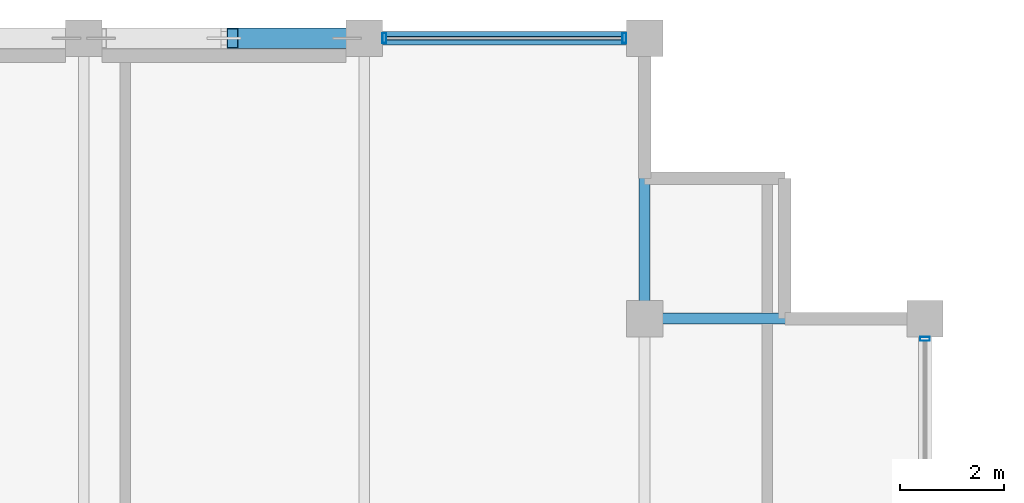
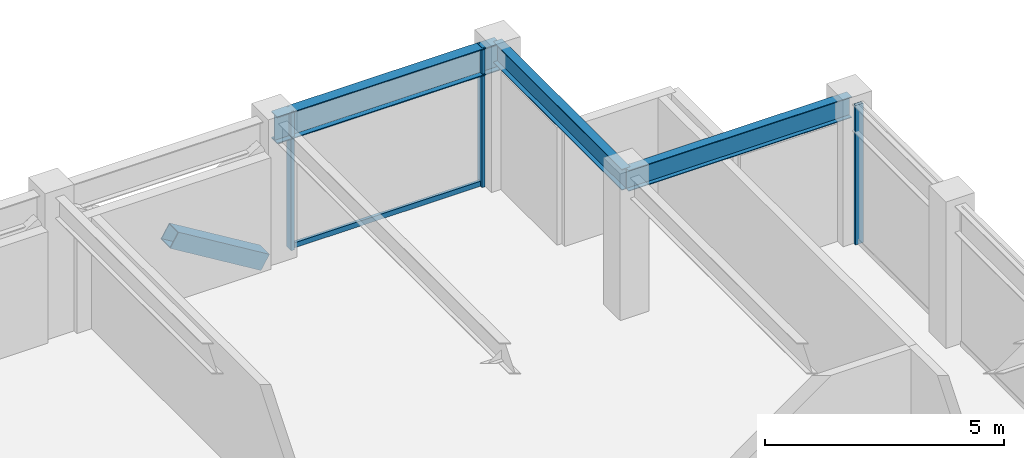
# One storey, part 19 of 29: 5 members, 3 beams, 2 elements without a shape of their own.
"""IFC4 building model written with IfcOpenShell, lengths in metres."""

from ifc_helpers import new_model, si_unit, direction, frame, origin, origin_2d, place, context, subcontext, project, spatial, hollow_rectangle, i_section, extrude, material, layer, layer_set, material_profile, profile_set, type_object, element, aggregate, save


model = new_model("IFC4")

# Units and contexts
model_context = context("Model", 3, precision=1e-05, world=origin(), true_north=direction((0.0, 1.0)))
body_context = subcontext(model_context, "Body", "Model", "MODEL_VIEW")
ifc_project = project(units=[si_unit("LENGTHUNIT", "METRE"), si_unit("AREAUNIT", "SQUARE_METRE"), si_unit("VOLUMEUNIT", "CUBIC_METRE"), si_unit("PLANEANGLEUNIT", "RADIAN"), si_unit("MASSUNIT", "GRAM", prefix="KILO")], contexts=[model_context])

# Site, building, storey
site_placement = place(None, origin())
site = spatial("IfcSite", under=ifc_project, at=site_placement, CompositionType="ELEMENT")
building_placement = place(site_placement, origin())
building = spatial("IfcBuilding", under=site, at=building_placement, Name="Surkhivell Harbour Commons", CompositionType="ELEMENT")
storey_placement = place(building_placement, frame((0.0, 0.0, 273.75)))
storey = spatial("IfcBuildingStorey", under=building, at=storey_placement, Name="L71", CompositionType="ELEMENT", Elevation=273.75)

# Beams
ifc_material_1 = material(Name="Steel S355", Category="steel")
ifc_material_profile_1 = material_profile(ifc_material_1, i_section(OverallWidth=0.2099609375, OverallDepth=0.537109375, WebThickness=0.0107421875, FlangeThickness=0.017333984375, at=origin_2d()), Name="UB533x210x101")
ifc_profile_set_1 = profile_set([ifc_material_profile_1], Name="Steel S355")
beam_type_1 = type_object("IfcBeamType", Name="BM-GRD-533B", PredefinedType="BEAM", material=ifc_profile_set_1)
for number, where, z_axis, x_axis, name in (
    (1, (10.800048828125, 20.5, 3.301513671875), (0.0, 1.0, 0.0), (-1.0, 0.0, 0.0), "L71 Floor Girder (10.8,20.5)"),
    (2, (10.800048828125, 20.5, 3.301513671875), (1.0, 0.0, 0.0), (0.0, 1.0, 0.0), "L71 Floor Girder (10.8,20.5)"),
):
    element("IfcBeam", number, at=place(storey_placement, frame(where, z_axis=z_axis, x_axis=x_axis)), inside=storey, type_object=beam_type_1, Name=name, PredefinedType="BEAM", context=body_context, shape_type="SweptSolid", body=[
        extrude(i_section(OverallWidth=0.2099609375, OverallDepth=0.537109375, WebThickness=0.0107421875, FlangeThickness=0.017333984375, at=origin_2d()), origin(), (0.0, 0.0, 1.0), 5.39990234375),
    ])
ifc_material_profile_2 = material_profile(ifc_material_1, i_section(OverallWidth=0.256103515625, OverallDepth=0.693115234375, WebThickness=0.014404296875, FlangeThickness=0.023681640625, at=origin_2d()), Name="UB686x254x170")
ifc_profile_set_2 = profile_set([ifc_material_profile_2], Name="Steel S355")
beam_type_2 = type_object("IfcBeamType", Name="BM-SPN-686", PredefinedType="SPANDREL", material=ifc_profile_set_2)
beam_placement = place(storey_placement, frame((5.39990234375, 25.89990234375, 3.223388671875), z_axis=(1.0, 0.0, 0.0), x_axis=(0.0, 1.0, 0.0)))
element("IfcBeam", 3, at=beam_placement, inside=storey, type_object=beam_type_2, Name="L71 Tube Spandrel (5.4,25.9)", PredefinedType="SPANDREL", context=body_context, shape_type="SweptSolid", body=[
    extrude(i_section(OverallWidth=0.256103515625, OverallDepth=0.693115234375, WebThickness=0.014404296875, FlangeThickness=0.023681640625, at=origin_2d()), origin(), (0.0, 0.0, 1.0), 5.400146484375),
])

# Curtain wall, member
ifc_material_2 = material(Name="Anodised pale-metal aluminium and insulated glazing", Category="aluminium")
ifc_layer = layer(ifc_material_2, 0.175048828125)
ifc_layer_set = layer_set([ifc_layer], Name="Anodised pale-metal aluminium and insulated glazing")
curtain_wall_type = type_object("IfcCurtainWallType", Name="CW-SYS-Z4", PredefinedType="NOTDEFINED", material=ifc_layer_set)
curtain_wall_1_placement = place(storey_placement, origin())
curtain_wall_1 = element("IfcCurtainWall", 4, at=curtain_wall_1_placement, inside=storey, type_object=curtain_wall_type, Name="L71 Curtain Wall CW-L71-E02R2", PredefinedType="NOTDEFINED")
ifc_material_3 = material(Name="Anodised pale-metal aluminium alloy 6063-T6", Category="aluminium")
ifc_material_profile_3 = material_profile(ifc_material_3, hollow_rectangle(XDim=0.074951171875, YDim=0.18994140625, WallThickness=0.00390625, at=origin_2d()), Name="ALU-MULL-75x190")
ifc_profile_set_3 = profile_set([ifc_material_profile_3], Name="Anodised pale-metal aluminium alloy 6063-T6")
member_type_1 = type_object("IfcMemberType", Name="CWM-190", PredefinedType="MULLION", material=ifc_profile_set_3)
member_1_placement = place(storey_placement, frame((16.199951171875, 20.110595703125, 0.0), z_axis=(0.0, 0.0, 1.0), x_axis=(0.0, 1.0, 0.0)))
member_1 = element("IfcMember", 5, at=member_1_placement, type_object=member_type_1, Name="CW-Z4 mullion 3", PredefinedType="MULLION", context=body_context, shape_type="SweptSolid", body=[
    extrude(hollow_rectangle(XDim=0.074951171875, YDim=0.18994140625, WallThickness=0.00390625, at=origin_2d()), origin(), (0.0, 0.0, 1.0), 3.570068359375),
])
aggregate(curtain_wall_1, [member_1])

# Curtain wall, members
curtain_wall_2_placement = place(storey_placement, origin())
curtain_wall_2 = element("IfcCurtainWall", 6, at=curtain_wall_2_placement, inside=storey, type_object=curtain_wall_type, Name="L71 Curtain Wall CW-L71-E07S1", PredefinedType="NOTDEFINED")
member_2_placement = place(storey_placement, frame((10.410400390625, 25.89990234375, 0.0), z_axis=(0.0, 0.0, 1.0), x_axis=(-1.0, 0.0, 0.0)))
member_2 = element("IfcMember", 7, at=member_2_placement, type_object=member_type_1, Name="CW-Z4 mullion 1", PredefinedType="MULLION", context=body_context, shape_type="SweptSolid", body=[
    extrude(hollow_rectangle(XDim=0.074951171875, YDim=0.18994140625, WallThickness=0.00390625, at=origin_2d()), origin(), (0.0, 0.0, 1.0), 3.570068359375),
])
member_3_placement = place(storey_placement, frame((5.78955078125, 25.89990234375, 0.0), z_axis=(0.0, 0.0, 1.0), x_axis=(-1.0, 0.0, 0.0)))
member_3 = element("IfcMember", 8, at=member_3_placement, type_object=member_type_1, Name="CW-Z4 mullion 2", PredefinedType="MULLION", context=body_context, shape_type="SweptSolid", body=[
    extrude(hollow_rectangle(XDim=0.074951171875, YDim=0.18994140625, WallThickness=0.00390625, at=origin_2d()), origin(), (0.0, 0.0, 1.0), 3.570068359375),
])
ifc_material_4 = material(Name="Champagne anodised aluminium alloy 6063-T6", Category="aluminium")
ifc_material_profile_4 = material_profile(ifc_material_4, hollow_rectangle(XDim=0.070068359375, YDim=0.1298828125, WallThickness=0.00341796875, at=origin_2d()), Name="ALU-TRAN-70x130")
ifc_profile_set_4 = profile_set([ifc_material_profile_4], Name="Champagne anodised aluminium alloy 6063-T6")
member_type_2 = type_object("IfcMemberType", Name="CWT-130", PredefinedType="USERDEFINED", material=ifc_profile_set_4)
member_4_placement = place(storey_placement, frame((10.373046875, 25.89990234375, 0.06494140625), z_axis=(-1.0, 0.0, 0.0), x_axis=(0.0, -1.0, 0.0)))
member_4 = element("IfcMember", 9, at=member_4_placement, type_object=member_type_2, Name="CW-Z4 transom 1.1", ObjectType="TRANSOM", PredefinedType="USERDEFINED", context=body_context, shape_type="SweptSolid", body=[
    extrude(hollow_rectangle(XDim=0.070068359375, YDim=0.1298828125, WallThickness=0.00341796875, at=origin_2d()), origin(), (0.0, 0.0, 1.0), 4.546142578125),
])
aggregate(curtain_wall_2, [member_2, member_3, member_4])

# Member
ifc_material_5 = material(Name="Steel S460", Category="steel")
ifc_material_profile_5 = material_profile(ifc_material_5, hollow_rectangle(XDim=0.39990234375, YDim=0.39990234375, WallThickness=0.02001953125, at=origin_2d()), Name="SHS400x400x20")
ifc_profile_set_5 = profile_set([ifc_material_profile_5], Name="Steel S460")
member_type_3 = type_object("IfcMemberType", Name="MEM-BRC-SHS400", PredefinedType="BRACE", material=ifc_profile_set_5)
member_5_placement = place(storey_placement, frame((5.06494140625, 25.89990234375, 0.008056640625), z_axis=(-0.854719912157, 0.0, 0.519089464122), x_axis=(0.0, -1.0, 0.0)))
element("IfcMember", 10, at=member_5_placement, inside=storey, type_object=member_type_3, Name="L71 Perimeter Mega-Brace MB- 05", PredefinedType="BRACE", context=body_context, shape_type="SweptSolid", body=[
    extrude(hollow_rectangle(XDim=0.39990234375, YDim=0.39990234375, WallThickness=0.02001953125, at=origin_2d()), origin(), (0.0, 0.0, 1.0), 2.574951171875),
])

save(model, "model.ifc")
